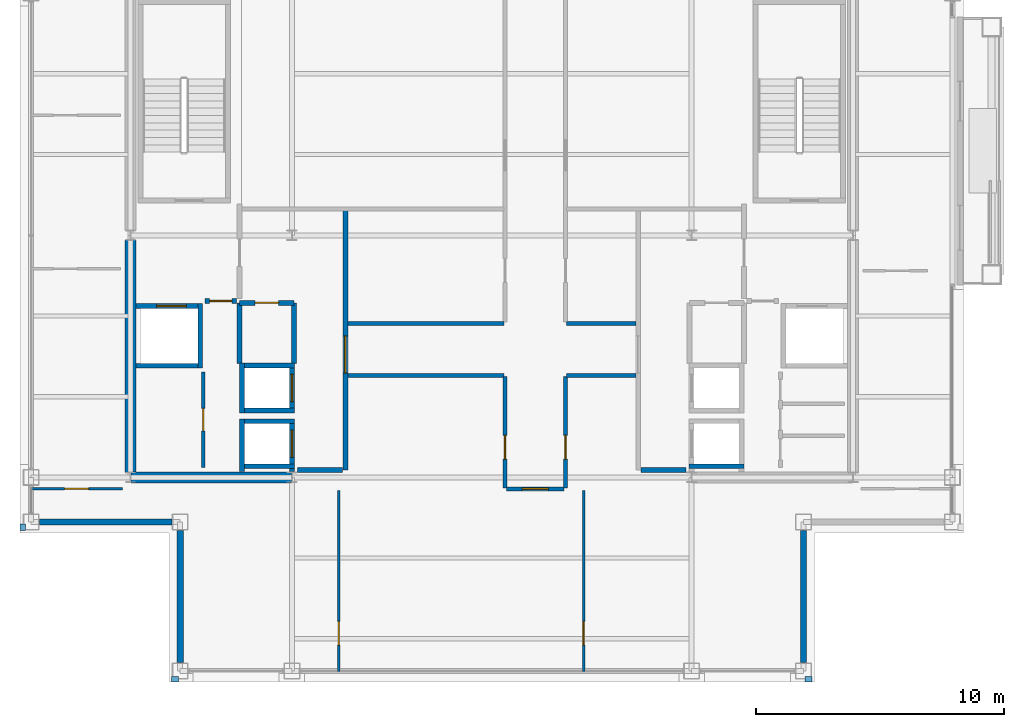
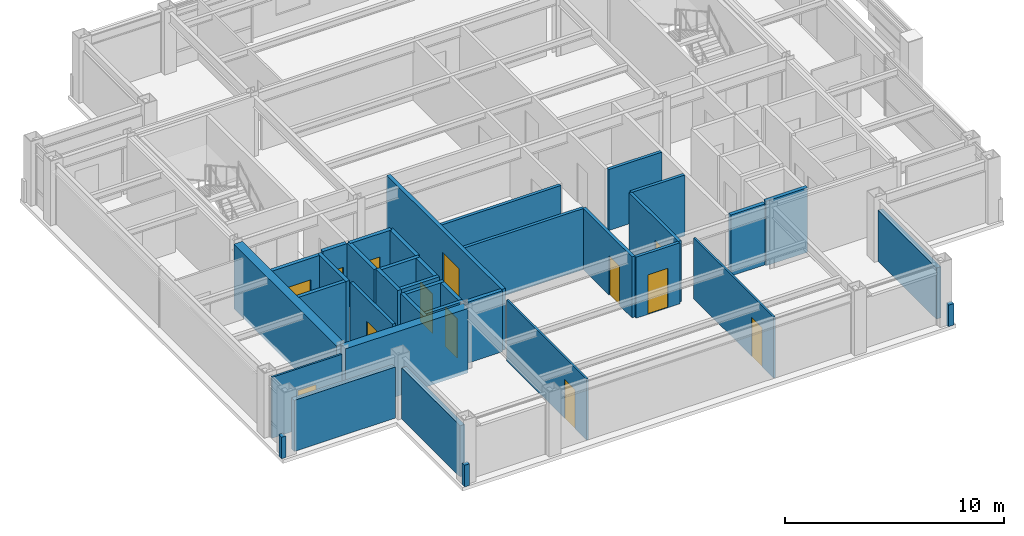
# One storey, part 19 of 24: 38 walls, 13 doors, 13 openings.
"""IFC4 building model written with IfcOpenShell, lengths in metres."""

from ifc_helpers import new_model, si_unit, direction, frame, frame_2d, origin, place, context, subcontext, project, spatial, rectangle, extrude, material, layer, layer_set, type_object, element, fill, save


model = new_model("IFC4")

# Units and contexts
model_context = context("Model", 3, precision=1e-05, world=origin(), true_north=direction((0.0, 1.0)))
body_context = subcontext(model_context, "Body", "Model", "MODEL_VIEW")
ifc_project = project(units=[si_unit("LENGTHUNIT", "METRE"), si_unit("AREAUNIT", "SQUARE_METRE"), si_unit("VOLUMEUNIT", "CUBIC_METRE"), si_unit("PLANEANGLEUNIT", "RADIAN"), si_unit("MASSUNIT", "GRAM", prefix="KILO")], contexts=[model_context])

# Site, building, storey
site_placement = place(None, origin())
site = spatial("IfcSite", under=ifc_project, at=site_placement, CompositionType="ELEMENT")
building_placement = place(site_placement, origin())
building = spatial("IfcBuilding", under=site, at=building_placement, Name="Brelmoor Portico Tower", CompositionType="ELEMENT")
storey_placement = place(building_placement, frame((0.0, 0.0, 240.0)))
storey = spatial("IfcBuildingStorey", under=building, at=storey_placement, Name="L63", CompositionType="ELEMENT", Elevation=240.0)

# Walls
ifc_material_1 = material(Name="Concrete C50", Category="concrete")
ifc_layer_1 = layer(ifc_material_1, 0.449951171875)
ifc_layer_set_1 = layer_set([ifc_layer_1], Name="Concrete C50")
wall_type_1 = type_object("IfcWallType", Name="WL-CORE-450", PredefinedType="SHEAR", material=ifc_layer_set_1)
wall_1_placement = place(storey_placement, frame((-14.530029296875, -9.75, -0.199951171875), z_axis=(0.0, 0.0, 1.0), x_axis=(1.0, 0.0, 0.0)))
element("IfcWall", 1, at=wall_1_placement, inside=storey, type_object=wall_type_1, Name="L63 WC South Shear Wall", PredefinedType="SHEAR", context=body_context, shape_type="SweptSolid", body=[
    extrude(rectangle(XDim=6.4599609375, YDim=0.449951171875, at=frame_2d((3.22998046875, 0.0))), origin(), (0.0, 0.0, 1.0), 3.599853515625),
])
wall_2_placement = place(storey_placement, frame((-14.550048828125, -9.550048828125, -0.199951171875), z_axis=(0.0, 0.0, 1.0), x_axis=(0.0, 1.0, 0.0)))
element("IfcWall", 2, at=wall_2_placement, inside=storey, type_object=wall_type_1, Name="L63 WC Outer South Shear Wall", PredefinedType="SHEAR", context=body_context, shape_type="SweptSolid", body=[
    extrude(rectangle(XDim=9.35009765625, YDim=0.449951171875, at=frame_2d((4.675048828125, 0.0))), origin(), (0.0, 0.0, 1.0), 3.599853515625),
])
ifc_material_2 = material(Name="Precast Concrete C40 Insulated Facade Wall", Category="concrete")
ifc_layer_2 = layer(ifc_material_2, 0.25)
ifc_layer_set_2 = layer_set([ifc_layer_2], Name="Precast Concrete C40 Insulated Facade Wall")
wall_type_2 = type_object("IfcWallType", Name="WL-EXT-250", PredefinedType="STANDARD", material=ifc_layer_set_2)
for number, where, z_axis, x_axis, name in (
    (3, (-18.215087890625, -11.550048828125, 0.0), (0.0, 0.0, 1.0), (1.0, 0.0, 0.0), "L63 Corner Notch Facade Wall NSWH1"),
    (4, (-12.550048828125, -17.215087890625, 0.0), (0.0, 0.0, 1.0), (0.0, 1.0, 0.0), "L63 Corner Notch Facade Wall NSWV1"),
    (5, (12.550048828125, -17.215087890625, 0.0), (0.0, 0.0, 1.0), (0.0, 1.0, 0.0), "L63 Corner Notch Facade Wall NSEV1"),
):
    element("IfcWall", number, at=place(storey_placement, frame(where, z_axis=z_axis, x_axis=x_axis)), inside=storey, type_object=wall_type_2, Name=name, PredefinedType="STANDARD", context=body_context, shape_type="SweptSolid", body=[
        extrude(rectangle(XDim=5.330078125, YDim=0.25, at=frame_2d((2.6650390625, 0.0))), origin(), (0.0, 0.0, 1.0), 2.85009765625),
    ])
ifc_material_3 = material(Name="Concrete C40 Parapet Upstand", Category="concrete")
ifc_layer_3 = layer(ifc_material_3, 0.219970703125)
ifc_layer_set_3 = layer_set([ifc_layer_3], Name="Concrete C40 Parapet Upstand")
wall_type_3 = type_object("IfcWallType", Name="WL-PARAPET-220", PredefinedType="PARAPET", material=ifc_layer_set_3)
for number, where, z_axis, x_axis, name in (
    (6, (-12.889892578125, -17.889892578125, 0.0), (0.0, 0.0, 1.0), (1.0, 0.0, 0.0), "L63 Chamfer Vertex Parapet Pier SW1"),
    (7, (-18.889892578125, -11.889892578125, 0.0), (0.0, 0.0, 1.0), (0.0, 1.0, 0.0), "L63 Chamfer Vertex Parapet Pier SW2"),
    (8, (12.6201171875, -17.889892578125, 0.0), (0.0, 0.0, 1.0), (1.0, 0.0, 0.0), "L63 Chamfer Vertex Parapet Pier SE1"),
):
    element("IfcWall", number, at=place(storey_placement, frame(where, z_axis=z_axis, x_axis=x_axis)), inside=storey, type_object=wall_type_3, Name=name, PredefinedType="PARAPET", context=body_context, shape_type="SweptSolid", body=[
        extrude(rectangle(XDim=0.269775390625, YDim=0.219970703125, at=frame_2d((0.134765625, 0.0))), origin(), (0.0, 0.0, 1.0), 1.199951171875),
    ])

# Wall, opening, door
ifc_material_4 = material(Name="Demountable Glazed Office Partition", Category="aluminium")
ifc_layer_4 = layer(ifc_material_4, 0.10009765625)
ifc_layer_set_4 = layer_set([ifc_layer_4], Name="Demountable Glazed Office Partition")
wall_type_4 = type_object("IfcWallType", Name="WL-PART-100", PredefinedType="PARTITIONING", material=ifc_layer_set_4)
wall_3_placement = place(storey_placement, frame((-6.161376953125, -17.56005859375, 0.0), z_axis=(0.0, 0.0, 1.0), x_axis=(0.0, 1.0, 0.0)))
wall_3 = element("IfcWall", 9, at=wall_3_placement, inside=storey, type_object=wall_type_4, Name="L63 South Suite Partition 1", PredefinedType="PARTITIONING", context=body_context, shape_type="SweptSolid", body=[
    extrude(rectangle(XDim=7.2900390625, YDim=0.10009765625, at=frame_2d((3.64501953125, 0.0))), origin(), (0.0, 0.0, 1.0), 3.39990234375),
])
opening_1_placement = place(wall_3_placement, frame((1.050048828125, 0.0, 0.0)))
opening_1 = element("IfcOpeningElement", 10, at=opening_1_placement, cuts=wall_3, Name="Opening D-IN2", PredefinedType="OPENING", context=body_context, shape_type="SweptSolid", body=[
    extrude(rectangle(XDim=0.9599609375, YDim=2.179931640625, at=frame_2d((0.47998046875, 1.08984375))), frame((0.0, 0.06005859375, 0.0), z_axis=(0.0, -1.0, 0.0), x_axis=(1.0, 0.0, 0.0)), (0.0, 0.0, 1.0), 0.1201171875),
])
ifc_material_5 = material(Name="Lacquered Timber Suite Door", Category="wood")
door_type_1 = type_object("IfcDoorType", Name="DR-INT-950", OperationType="NOTDEFINED", PredefinedType="DOOR", material=ifc_material_5)
door_1_placement = place(opening_1_placement, origin())
door_1 = element("IfcDoor", 11, at=door_1_placement, inside=storey, type_object=door_type_1, Name="D-2614 L63 South Suite Connecting Door 1", OperationType="SINGLE_SWING_RIGHT", OverallHeight=2.179931640625, OverallWidth=0.9599609375, PredefinedType="DOOR", context=body_context, shape_type="SweptSolid", body=[
    extrude(rectangle(XDim=0.9599609375, YDim=2.179931640625, at=frame_2d((0.47998046875, 1.08984375))), frame((0.0, 0.02490234375, 0.0), z_axis=(0.0, -1.0, 0.0), x_axis=(1.0, 0.0, 0.0)), (0.0, 0.0, 1.0), 0.050048828125),
])
fill(opening_1, door_1)

wall_4_placement = place(storey_placement, frame((3.697509765625, -17.56005859375, 0.0), z_axis=(0.0, 0.0, 1.0), x_axis=(0.0, 1.0, 0.0)))
wall_4 = element("IfcWall", 12, at=wall_4_placement, inside=storey, type_object=wall_type_4, Name="L63 South Suite Partition 2", PredefinedType="PARTITIONING", context=body_context, shape_type="SweptSolid", body=[
    extrude(rectangle(XDim=7.2900390625, YDim=0.10009765625, at=frame_2d((3.64501953125, 0.0))), origin(), (0.0, 0.0, 1.0), 3.39990234375),
])
opening_2_placement = place(wall_4_placement, frame((1.050048828125, 0.0, 0.0)))
opening_2 = element("IfcOpeningElement", 13, at=opening_2_placement, cuts=wall_4, Name="Opening D-IN2", PredefinedType="OPENING", context=body_context, shape_type="SweptSolid", body=[
    extrude(rectangle(XDim=0.9599609375, YDim=2.179931640625, at=frame_2d((0.47998046875, 1.08984375))), frame((0.0, 0.06005859375, 0.0), z_axis=(0.0, -1.0, 0.0), x_axis=(1.0, 0.0, 0.0)), (0.0, 0.0, 1.0), 0.1201171875),
])
door_2_placement = place(opening_2_placement, origin())
door_2 = element("IfcDoor", 14, at=door_2_placement, inside=storey, type_object=door_type_1, Name="D-2615 L63 South Suite Connecting Door 2", OperationType="SINGLE_SWING_LEFT", OverallHeight=2.179931640625, OverallWidth=0.9599609375, PredefinedType="DOOR", context=body_context, shape_type="SweptSolid", body=[
    extrude(rectangle(XDim=0.9599609375, YDim=2.179931640625, at=frame_2d((0.47998046875, 1.08984375))), frame((0.0, 0.02490234375, 0.0), z_axis=(0.0, -1.0, 0.0), x_axis=(1.0, 0.0, 0.0)), (0.0, 0.0, 1.0), 0.050048828125),
])
fill(opening_2, door_2)

wall_5_placement = place(storey_placement, frame((-18.56005859375, -10.2099609375, 0.0), z_axis=(0.0, 0.0, 1.0), x_axis=(1.0, 0.0, 0.0)))
wall_5 = element("IfcWall", 15, at=wall_5_placement, inside=storey, type_object=wall_type_4, Name="L63 South Wing Closure WL", PredefinedType="PARTITIONING", context=body_context, shape_type="SweptSolid", body=[
    extrude(rectangle(XDim=3.68017578125, YDim=0.10009765625, at=frame_2d((1.840087890625, 0.0))), origin(), (0.0, 0.0, 1.0), 3.39990234375),
])
opening_3_placement = place(wall_5_placement, frame((1.360107421875, 0.0, 0.0)))
opening_3 = element("IfcOpeningElement", 16, at=opening_3_placement, cuts=wall_5, Name="Opening D-IN2", PredefinedType="OPENING", context=body_context, shape_type="SweptSolid", body=[
    extrude(rectangle(XDim=0.9599609375, YDim=2.179931640625, at=frame_2d((0.47998046875, 1.08984375))), frame((0.0, 0.06005859375, 0.0), z_axis=(0.0, -1.0, 0.0), x_axis=(1.0, 0.0, 0.0)), (0.0, 0.0, 1.0), 0.1201171875),
])
door_3_placement = place(opening_3_placement, origin())
door_3 = element("IfcDoor", 17, at=door_3_placement, inside=storey, type_object=door_type_1, Name="D-2619 L63 WL Wing South Suite Door", OperationType="SINGLE_SWING_LEFT", OverallHeight=2.179931640625, OverallWidth=0.9599609375, PredefinedType="DOOR", context=body_context, shape_type="SweptSolid", body=[
    extrude(rectangle(XDim=0.9599609375, YDim=2.179931640625, at=frame_2d((0.47998046875, 1.08984375))), frame((0.0, 0.02490234375, 0.0), z_axis=(0.0, -1.0, 0.0), x_axis=(1.0, 0.0, 0.0)), (0.0, 0.0, 1.0), 0.050048828125),
])
fill(opening_3, door_3)

ifc_material_6 = material(Name="Twin-Frame Acoustic Partition", Category="gypsum")
ifc_layer_5 = layer(ifc_material_6, 0.159912109375)
ifc_layer_set_5 = layer_set([ifc_layer_5], Name="Twin-Frame Acoustic Partition")
wall_type_5 = type_object("IfcWallType", Name="WL-PART-160", PredefinedType="PARTITIONING", material=ifc_layer_set_5)
wall_6_placement = place(storey_placement, frame((-11.6201171875, -9.35009765625, 0.0), z_axis=(0.0, 0.0, 1.0), x_axis=(0.0, 1.0, 0.0)))
wall_6 = element("IfcWall", 18, at=wall_6_placement, inside=storey, type_object=wall_type_5, Name="L63 W Core Service Front Wall", PredefinedType="PARTITIONING", context=body_context, shape_type="SweptSolid", body=[
    extrude(rectangle(XDim=3.85009765625, YDim=0.159912109375, at=frame_2d((1.925048828125, 0.0))), origin(), (0.0, 0.0, 1.0), 3.39990234375),
])
opening_4_placement = place(wall_6_placement, frame((1.47509765625, 0.0, 0.0)))
opening_4 = element("IfcOpeningElement", 19, at=opening_4_placement, cuts=wall_6, Name="Opening D-IN1", PredefinedType="OPENING", context=body_context, shape_type="SweptSolid", body=[
    extrude(rectangle(XDim=0.89990234375, YDim=2.14990234375, at=frame_2d((0.449951171875, 1.074951171875))), frame((0.0, 0.08984375, 0.0), z_axis=(0.0, -1.0, 0.0), x_axis=(1.0, 0.0, 0.0)), (0.0, 0.0, 1.0), 0.179931640625),
])
door_type_2 = type_object("IfcDoorType", Name="DR-INT-900", OperationType="NOTDEFINED", PredefinedType="DOOR", material=ifc_material_5)
door_4_placement = place(opening_4_placement, origin())
door_4 = element("IfcDoor", 20, at=door_4_placement, inside=storey, type_object=door_type_2, Name="D-2602 L63 W Accessible WC Door", OperationType="SINGLE_SWING_LEFT", OverallHeight=2.14990234375, OverallWidth=0.89990234375, PredefinedType="DOOR", context=body_context, shape_type="SweptSolid", body=[
    extrude(rectangle(XDim=0.89990234375, YDim=2.14990234375, at=frame_2d((0.449951171875, 1.074951171875))), frame((0.0, 0.02490234375, 0.0), z_axis=(0.0, -1.0, 0.0), x_axis=(1.0, 0.0, 0.0)), (0.0, 0.0, 1.0), 0.050048828125),
])
fill(opening_4, door_4)

# Walls
wall_7_placement = place(storey_placement, frame((-5.800048828125, -3.550048828125, 0.0), z_axis=(0.0, 0.0, 1.0), x_axis=(1.0, 0.0, 0.0)))
element("IfcWall", 21, at=wall_7_placement, inside=storey, type_object=wall_type_5, Name="L63 West Pantry South Wall", PredefinedType="PARTITIONING", context=body_context, shape_type="SweptSolid", body=[
    extrude(rectangle(XDim=6.2900390625, YDim=0.159912109375, at=frame_2d((3.14501953125, 0.0))), origin(), (0.0, 0.0, 1.0), 3.39990234375),
])
wall_8_placement = place(storey_placement, frame((3.010009765625, -3.550048828125, 0.0), z_axis=(0.0, 0.0, 1.0), x_axis=(1.0, 0.0, 0.0)))
element("IfcWall", 22, at=wall_8_placement, inside=storey, type_object=wall_type_5, Name="L63 East Office South Wall", PredefinedType="PARTITIONING", context=body_context, shape_type="SweptSolid", body=[
    extrude(rectangle(XDim=2.7900390625, YDim=0.159912109375, at=frame_2d((1.39501953125, 0.0))), origin(), (0.0, 0.0, 1.0), 3.39990234375),
])

# Wall, opening, door
wall_9_placement = place(storey_placement, frame((0.530029296875, -10.169921875, 0.0), z_axis=(0.0, 0.0, 1.0), x_axis=(0.0, 1.0, 0.0)))
wall_9 = element("IfcWall", 23, at=wall_9_placement, inside=storey, type_object=wall_type_5, Name="L63 South Cross West Wall", PredefinedType="PARTITIONING", context=body_context, shape_type="SweptSolid", body=[
    extrude(rectangle(XDim=4.489990234375, YDim=0.159912109375, at=frame_2d((2.2451171875, 0.0))), origin(), (0.0, 0.0, 1.0), 3.39990234375),
])
opening_5_placement = place(wall_9_placement, frame((1.14990234375, 0.0, 0.0)))
opening_5 = element("IfcOpeningElement", 24, at=opening_5_placement, cuts=wall_9, Name="Opening D-IN2", PredefinedType="OPENING", context=body_context, shape_type="SweptSolid", body=[
    extrude(rectangle(XDim=0.9599609375, YDim=2.179931640625, at=frame_2d((0.47998046875, 1.08984375))), frame((0.0, 0.08984375, 0.0), z_axis=(0.0, -1.0, 0.0), x_axis=(1.0, 0.0, 0.0)), (0.0, 0.0, 1.0), 0.179931640625),
])
door_5_placement = place(opening_5_placement, origin())
door_5 = element("IfcDoor", 25, at=door_5_placement, inside=storey, type_object=door_type_1, Name="D-2594 L63 South-West Archive Room Door", OperationType="SINGLE_SWING_RIGHT", OverallHeight=2.179931640625, OverallWidth=0.9599609375, PredefinedType="DOOR", context=body_context, shape_type="SweptSolid", body=[
    extrude(rectangle(XDim=0.9599609375, YDim=2.179931640625, at=frame_2d((0.47998046875, 1.08984375))), frame((0.0, 0.02490234375, 0.0), z_axis=(0.0, -1.0, 0.0), x_axis=(1.0, 0.0, 0.0)), (0.0, 0.0, 1.0), 0.050048828125),
])
fill(opening_5, door_5)

wall_10_placement = place(storey_placement, frame((2.969970703125, -10.169921875, 0.0), z_axis=(0.0, 0.0, 1.0), x_axis=(0.0, 1.0, 0.0)))
wall_10 = element("IfcWall", 26, at=wall_10_placement, inside=storey, type_object=wall_type_5, Name="L63 South Cross East Wall", PredefinedType="PARTITIONING", context=body_context, shape_type="SweptSolid", body=[
    extrude(rectangle(XDim=4.489990234375, YDim=0.159912109375, at=frame_2d((2.2451171875, 0.0))), origin(), (0.0, 0.0, 1.0), 3.39990234375),
])
opening_6_placement = place(wall_10_placement, frame((1.14990234375, 0.0, 0.0)))
opening_6 = element("IfcOpeningElement", 27, at=opening_6_placement, cuts=wall_10, Name="Opening D-IN2", PredefinedType="OPENING", context=body_context, shape_type="SweptSolid", body=[
    extrude(rectangle(XDim=0.9599609375, YDim=2.179931640625, at=frame_2d((0.47998046875, 1.08984375))), frame((0.0, 0.08984375, 0.0), z_axis=(0.0, -1.0, 0.0), x_axis=(1.0, 0.0, 0.0)), (0.0, 0.0, 1.0), 0.179931640625),
])
door_6_placement = place(opening_6_placement, origin())
door_6 = element("IfcDoor", 28, at=door_6_placement, inside=storey, type_object=door_type_1, Name="D-2593 L63 South-East Partner Office Door", OperationType="SINGLE_SWING_LEFT", OverallHeight=2.179931640625, OverallWidth=0.9599609375, PredefinedType="DOOR", context=body_context, shape_type="SweptSolid", body=[
    extrude(rectangle(XDim=0.9599609375, YDim=2.179931640625, at=frame_2d((0.47998046875, 1.08984375))), frame((0.0, 0.02490234375, 0.0), z_axis=(0.0, -1.0, 0.0), x_axis=(1.0, 0.0, 0.0)), (0.0, 0.0, 1.0), 0.050048828125),
])
fill(opening_6, door_6)

# Walls
wall_11_placement = place(storey_placement, frame((-5.800048828125, -5.64990234375, 0.0), z_axis=(0.0, 0.0, 1.0), x_axis=(1.0, 0.0, 0.0)))
element("IfcWall", 29, at=wall_11_placement, inside=storey, type_object=wall_type_5, Name="L63 South-West Chamber Top Wall", PredefinedType="PARTITIONING", context=body_context, shape_type="SweptSolid", body=[
    extrude(rectangle(XDim=6.2900390625, YDim=0.159912109375, at=frame_2d((3.14501953125, 0.0))), origin(), (0.0, 0.0, 1.0), 3.39990234375),
])
wall_12_placement = place(storey_placement, frame((3.010009765625, -5.64990234375, 0.0), z_axis=(0.0, 0.0, 1.0), x_axis=(1.0, 0.0, 0.0)))
element("IfcWall", 30, at=wall_12_placement, inside=storey, type_object=wall_type_5, Name="L63 South-East Chamber Top Wall", PredefinedType="PARTITIONING", context=body_context, shape_type="SweptSolid", body=[
    extrude(rectangle(XDim=2.7900390625, YDim=0.159912109375, at=frame_2d((1.39501953125, 0.0))), origin(), (0.0, 0.0, 1.0), 3.39990234375),
])

# Wall, opening, door
wall_13_placement = place(storey_placement, frame((0.60009765625, -10.2099609375, 0.0), z_axis=(0.0, 0.0, 1.0), x_axis=(1.0, 0.0, 0.0)))
wall_13 = element("IfcWall", 31, at=wall_13_placement, inside=storey, type_object=wall_type_5, Name="L63 South Corridor Partition", PredefinedType="PARTITIONING", context=body_context, shape_type="SweptSolid", body=[
    extrude(rectangle(XDim=2.2998046875, YDim=0.159912109375, at=frame_2d((1.14990234375, 0.0))), origin(), (0.0, 0.0, 1.0), 3.39990234375),
])
opening_7_placement = place(wall_13_placement, frame((0.6201171875, 0.0, 0.0)))
opening_7 = element("IfcOpeningElement", 32, at=opening_7_placement, cuts=wall_13, Name="Opening D-OF2", PredefinedType="OPENING", context=body_context, shape_type="SweptSolid", body=[
    extrude(rectangle(XDim=1.06005859375, YDim=2.199951171875, at=frame_2d((0.530029296875, 1.10009765625))), frame((0.0, 0.08984375, 0.0), z_axis=(0.0, -1.0, 0.0), x_axis=(1.0, 0.0, 0.0)), (0.0, 0.0, 1.0), 0.179931640625),
])
ifc_material_7 = material(Name="Hardwood Acoustic Veneer Door", Category="wood")
door_type_3 = type_object("IfcDoorType", Name="DR-OFFICE-1050", OperationType="NOTDEFINED", PredefinedType="DOOR", material=ifc_material_7)
door_7_placement = place(opening_7_placement, origin())
door_7 = element("IfcDoor", 33, at=door_7_placement, inside=storey, type_object=door_type_3, Name="D-2613 L63 South Design Workshop 2 Door", OperationType="SINGLE_SWING_RIGHT", OverallHeight=2.199951171875, OverallWidth=1.06005859375, PredefinedType="DOOR", context=body_context, shape_type="SweptSolid", body=[
    extrude(rectangle(XDim=1.06005859375, YDim=2.199951171875, at=frame_2d((0.530029296875, 1.10009765625))), frame((0.0, 0.02490234375, 0.0), z_axis=(0.0, -1.0, 0.0), x_axis=(1.0, 0.0, 0.0)), (0.0, 0.0, 1.0), 0.050048828125),
])
fill(opening_7, door_7)

ifc_material_8 = material(Name="Double-Stud Gypsum Fire Partition", Category="gypsum")
ifc_layer_6 = layer(ifc_material_8, 0.199951171875)
ifc_layer_set_6 = layer_set([ifc_layer_6], Name="Double-Stud Gypsum Fire Partition")
wall_type_6 = type_object("IfcWallType", Name="WL-PART-200", PredefinedType="PARTITIONING", material=ifc_layer_set_6)
wall_14_placement = place(storey_placement, frame((-5.89990234375, -9.449951171875, 0.0), z_axis=(0.0, 0.0, 1.0), x_axis=(0.0, 1.0, 0.0)))
wall_14 = element("IfcWall", 34, at=wall_14_placement, inside=storey, type_object=wall_type_6, Name="L63 W Core Lobby Compartment Wall", PredefinedType="PARTITIONING", context=body_context, shape_type="SweptSolid", body=[
    extrude(rectangle(XDim=10.5, YDim=0.199951171875, at=frame_2d((5.25, 0.0))), origin(), (0.0, 0.0, 1.0), 3.39990234375),
])
opening_8_placement = place(wall_14_placement, frame((3.89990234375, 0.0, 0.0)))
opening_8 = element("IfcOpeningElement", 35, at=opening_8_placement, cuts=wall_14, Name="Opening D-LB1", PredefinedType="OPENING", context=body_context, shape_type="SweptSolid", body=[
    extrude(rectangle(XDim=1.5, YDim=2.199951171875, at=frame_2d((0.75, 1.10009765625))), frame((0.0, 0.10986328125, 0.0), z_axis=(0.0, -1.0, 0.0), x_axis=(1.0, 0.0, 0.0)), (0.0, 0.0, 1.0), 0.219970703125),
])
ifc_material_9 = material(Name="Double-Leaf Glazed Steel Fire Door", Category="steel")
door_type_4 = type_object("IfcDoorType", Name="DR-LOBBY-1500", OperationType="NOTDEFINED", PredefinedType="DOOR", material=ifc_material_9)
door_8_placement = place(opening_8_placement, origin())
door_8 = element("IfcDoor", 36, at=door_8_placement, inside=storey, type_object=door_type_4, Name="D-2608 L63 W Lift Lobby Main Door", OperationType="DOUBLE_DOOR_SINGLE_SWING", OverallHeight=2.199951171875, OverallWidth=1.5, PredefinedType="DOOR", context=body_context, shape_type="SweptSolid", body=[
    extrude(rectangle(XDim=1.5, YDim=2.199951171875, at=frame_2d((0.75, 1.10009765625))), frame((0.0, 0.02490234375, 0.0), z_axis=(0.0, -1.0, 0.0), x_axis=(1.0, 0.0, 0.0)), (0.0, 0.0, 1.0), 0.050048828125),
])
fill(opening_8, door_8)

# Wall
wall_15_placement = place(storey_placement, frame((-6.02001953125, -9.449951171875, 0.0), z_axis=(0.0, 0.0, 1.0), x_axis=(-1.0, 0.0, 0.0)))
element("IfcWall", 37, at=wall_15_placement, inside=storey, type_object=wall_type_6, Name="L63 W Lift Lobby South End Wall", PredefinedType="PARTITIONING", context=body_context, shape_type="SweptSolid", body=[
    extrude(rectangle(XDim=1.800048828125, YDim=0.199951171875, at=frame_2d((0.89990234375, 0.0))), origin(), (0.0, 0.0, 1.0), 3.39990234375),
])

# Wall, opening, door
wall_16_placement = place(storey_placement, frame((-10.280029296875, -2.64990234375, 0.0), z_axis=(0.0, 0.0, 1.0), x_axis=(-1.0, 0.0, 0.0)))
wall_16 = element("IfcWall", 38, at=wall_16_placement, inside=storey, type_object=wall_type_6, Name="L63 W Firefighting Lobby South Wall", PredefinedType="PARTITIONING", context=body_context, shape_type="SweptSolid", body=[
    extrude(rectangle(XDim=1.27001953125, YDim=0.199951171875, at=frame_2d((0.635009765625, 0.0))), origin(), (0.0, 0.0, 1.0), 3.39990234375),
])
opening_9_placement = place(wall_16_placement, frame((0.18505859375, 0.0, 0.0)))
opening_9 = element("IfcOpeningElement", 39, at=opening_9_placement, cuts=wall_16, Name="Opening D-IN1", PredefinedType="OPENING", context=body_context, shape_type="SweptSolid", body=[
    extrude(rectangle(XDim=0.89990234375, YDim=2.14990234375, at=frame_2d((0.449951171875, 1.074951171875))), frame((0.0, 0.10986328125, 0.0), z_axis=(0.0, -1.0, 0.0), x_axis=(1.0, 0.0, 0.0)), (0.0, 0.0, 1.0), 0.219970703125),
])
door_9_placement = place(opening_9_placement, origin())
door_9 = element("IfcDoor", 40, at=door_9_placement, inside=storey, type_object=door_type_2, Name="D-2601 L63 W Core Service Vestibule Door", OperationType="SINGLE_SWING_LEFT", OverallHeight=2.14990234375, OverallWidth=0.89990234375, PredefinedType="DOOR", context=body_context, shape_type="SweptSolid", body=[
    extrude(rectangle(XDim=0.89990234375, YDim=2.14990234375, at=frame_2d((0.449951171875, 1.074951171875))), frame((0.0, 0.02490234375, 0.0), z_axis=(0.0, -1.0, 0.0), x_axis=(1.0, 0.0, 0.0)), (0.0, 0.0, 1.0), 0.050048828125),
])
fill(opening_9, door_9)

wall_17_placement = place(storey_placement, frame((-7.9599609375, -2.719970703125, 0.0), z_axis=(0.0, 0.0, 1.0), x_axis=(-1.0, 0.0, 0.0)))
wall_17 = element("IfcWall", 41, at=wall_17_placement, inside=storey, type_object=wall_type_6, Name="L63 W Electrical Switchgear Closet Wall", PredefinedType="PARTITIONING", context=body_context, shape_type="SweptSolid", body=[
    extrude(rectangle(XDim=2.199951171875, YDim=0.199951171875, at=frame_2d((1.10009765625, 0.0))), origin(), (0.0, 0.0, 1.0), 3.39990234375),
])
opening_10_placement = place(wall_17_placement, frame((0.6201171875, 0.0, 0.0)))
opening_10 = element("IfcOpeningElement", 42, at=opening_10_placement, cuts=wall_17, Name="Opening D-FR4", PredefinedType="OPENING", context=body_context, shape_type="SweptSolid", body=[
    extrude(rectangle(XDim=0.949951171875, YDim=2.10009765625, at=frame_2d((0.47509765625, 1.050048828125))), frame((0.0, 0.10986328125, 0.0), z_axis=(0.0, -1.0, 0.0), x_axis=(1.0, 0.0, 0.0)), (0.0, 0.0, 1.0), 0.219970703125),
])
ifc_material_10 = material(Name="Painted Galvanised Steel Riser Door", Category="steel")
door_type_5 = type_object("IfcDoorType", Name="DR-FIRE-950", OperationType="NOTDEFINED", PredefinedType="DOOR", material=ifc_material_10)
door_10_placement = place(opening_10_placement, origin())
door_10 = element("IfcDoor", 43, at=door_10_placement, inside=storey, type_object=door_type_5, Name="D-2604 L63 W Electrical Switchgear Closet Door", OperationType="SINGLE_SWING_RIGHT", OverallHeight=2.10009765625, OverallWidth=0.949951171875, PredefinedType="DOOR", context=body_context, shape_type="SweptSolid", body=[
    extrude(rectangle(XDim=0.949951171875, YDim=2.10009765625, at=frame_2d((0.47509765625, 1.050048828125))), frame((0.0, 0.02490234375, 0.0), z_axis=(0.0, -1.0, 0.0), x_axis=(1.0, 0.0, 0.0)), (0.0, 0.0, 1.0), 0.050048828125),
])
fill(opening_10, door_10)

# Walls
for number, where, z_axis, x_axis, name in (
    (44, (-7.9599609375, -5.159912109375, 0.0), (0.0, 0.0, 1.0), (0.0, 1.0, 0.0), "L63 W Electrical Switchgear Closet Inner Wall"),
    (45, (-10.159912109375, -5.159912109375, 0.0), (0.0, 0.0, 1.0), (0.0, 1.0, 0.0), "L63 W Electrical Switchgear Closet Outer Wall"),
):
    element("IfcWall", number, at=place(storey_placement, frame(where, z_axis=z_axis, x_axis=x_axis)), inside=storey, type_object=wall_type_6, Name=name, PredefinedType="PARTITIONING", context=body_context, shape_type="SweptSolid", body=[
        extrude(rectangle(XDim=2.43994140625, YDim=0.199951171875, at=frame_2d((1.219970703125, 0.0))), origin(), (0.0, 0.0, 1.0), 3.39990234375),
    ])
wall_18_placement = place(storey_placement, frame((6.02001953125, -9.449951171875, 0.0), z_axis=(0.0, 0.0, 1.0), x_axis=(1.0, 0.0, 0.0)))
element("IfcWall", 46, at=wall_18_placement, inside=storey, type_object=wall_type_6, Name="L63 E Lift Lobby South End Wall", PredefinedType="PARTITIONING", context=body_context, shape_type="SweptSolid", body=[
    extrude(rectangle(XDim=1.800048828125, YDim=0.199951171875, at=frame_2d((0.89990234375, 0.0))), origin(), (0.0, 0.0, 1.0), 3.39990234375),
])

# Wall, opening, door
ifc_material_11 = material(Name="Precast Concrete C40", Category="concrete")
ifc_layer_7 = layer(ifc_material_11, 0.18994140625)
ifc_layer_set_7 = layer_set([ifc_layer_7], Name="Precast Concrete C40")
wall_type_7 = type_object("IfcWallType", Name="WL-SHAFT-180", PredefinedType="SOLIDWALL", material=ifc_layer_set_7)
wall_19_placement = place(storey_placement, frame((-8.044921875, -9.52001953125, -0.199951171875), z_axis=(0.0, 0.0, 1.0), x_axis=(0.0, 1.0, 0.0)))
wall_19 = element("IfcWall", 47, at=wall_19_placement, inside=storey, type_object=wall_type_7, Name="L63 Lift PH1 Hoistway Front Wall", PredefinedType="SOLIDWALL", context=body_context, shape_type="SweptSolid", body=[
    extrude(rectangle(XDim=2.1201171875, YDim=0.18994140625, at=frame_2d((1.06005859375, 0.0))), origin(), (0.0, 0.0, 1.0), 3.599853515625),
])
opening_11_placement = place(wall_19_placement, frame((0.570068359375, 0.0, 0.199951171875)))
opening_11 = element("IfcOpeningElement", 48, at=opening_11_placement, cuts=wall_19, Name="Opening LD-01", PredefinedType="OPENING", context=body_context, shape_type="SweptSolid", body=[
    extrude(rectangle(XDim=1.10009765625, YDim=2.199951171875, at=frame_2d((0.550048828125, 1.10009765625))), frame((0.0, 0.10498046875, 0.0), z_axis=(0.0, -1.0, 0.0), x_axis=(1.0, 0.0, 0.0)), (0.0, 0.0, 1.0), 0.2099609375),
])
ifc_material_12 = material(Name="Brushed Stainless Steel Sliding Lift Door", Category="steel")
door_type_6 = type_object("IfcDoorType", Name="DR-LIFT-1100", OperationType="NOTDEFINED", PredefinedType="DOOR", material=ifc_material_12)
door_11_placement = place(opening_11_placement, origin())
door_11 = element("IfcDoor", 49, at=door_11_placement, inside=storey, type_object=door_type_6, Name="D-2627 L63 Lift PH1 Sliding Landing Door", OperationType="SLIDING_TO_LEFT", OverallHeight=2.199951171875, OverallWidth=1.10009765625, PredefinedType="DOOR", context=body_context, shape_type="SweptSolid", body=[
    extrude(rectangle(XDim=1.10009765625, YDim=2.199951171875, at=frame_2d((0.550048828125, 1.10009765625))), frame((0.0, 0.02490234375, 0.0), z_axis=(0.0, -1.0, 0.0), x_axis=(1.0, 0.0, 0.0)), (0.0, 0.0, 1.0), 0.050048828125),
])
fill(opening_11, door_11)

# Walls
wall_20_placement = place(storey_placement, frame((-10.054931640625, -9.52001953125, -0.199951171875), z_axis=(0.0, 0.0, 1.0), x_axis=(0.0, 1.0, 0.0)))
element("IfcWall", 50, at=wall_20_placement, inside=storey, type_object=wall_type_7, Name="L63 Lift PH1 Hoistway Back Wall", PredefinedType="SOLIDWALL", context=body_context, shape_type="SweptSolid", body=[
    extrude(rectangle(XDim=2.1201171875, YDim=0.18994140625, at=frame_2d((1.06005859375, 0.0))), origin(), (0.0, 0.0, 1.0), 3.599853515625),
])
for number, where, z_axis, x_axis, name in (
    (51, (-10.14990234375, -7.4951171875, -0.199951171875), (0.0, 0.0, 1.0), (1.0, 0.0, 0.0), "L63 Lift PH1 Hoistway North Wall"),
    (52, (-10.14990234375, -9.304931640625, -0.199951171875), (0.0, 0.0, 1.0), (1.0, 0.0, 0.0), "L63 Lift PH1 Hoistway South Wall"),
):
    element("IfcWall", number, at=place(storey_placement, frame(where, z_axis=z_axis, x_axis=x_axis)), inside=storey, type_object=wall_type_7, Name=name, PredefinedType="SOLIDWALL", context=body_context, shape_type="SweptSolid", body=[
        extrude(rectangle(XDim=2.199951171875, YDim=0.18994140625, at=frame_2d((1.10009765625, 0.0))), origin(), (0.0, 0.0, 1.0), 3.599853515625),
    ])

# Wall, opening, door
wall_21_placement = place(storey_placement, frame((-8.044921875, -7.14990234375, -0.199951171875), z_axis=(0.0, 0.0, 1.0), x_axis=(0.0, 1.0, 0.0)))
wall_21 = element("IfcWall", 53, at=wall_21_placement, inside=storey, type_object=wall_type_7, Name="L63 Lift PH2 Hoistway Front Wall", PredefinedType="SOLIDWALL", context=body_context, shape_type="SweptSolid", body=[
    extrude(rectangle(XDim=2.0, YDim=0.18994140625, at=frame_2d((1.0, 0.0))), origin(), (0.0, 0.0, 1.0), 3.599853515625),
])
opening_12_placement = place(wall_21_placement, frame((0.449951171875, 0.0, 0.199951171875)))
opening_12 = element("IfcOpeningElement", 54, at=opening_12_placement, cuts=wall_21, Name="Opening LD-01", PredefinedType="OPENING", context=body_context, shape_type="SweptSolid", body=[
    extrude(rectangle(XDim=1.10009765625, YDim=2.199951171875, at=frame_2d((0.550048828125, 1.10009765625))), frame((0.0, 0.10498046875, 0.0), z_axis=(0.0, -1.0, 0.0), x_axis=(1.0, 0.0, 0.0)), (0.0, 0.0, 1.0), 0.2099609375),
])
door_12_placement = place(opening_12_placement, origin())
door_12 = element("IfcDoor", 55, at=door_12_placement, inside=storey, type_object=door_type_6, Name="D-2628 L63 Lift PH2 Sliding Landing Door", OperationType="SLIDING_TO_LEFT", OverallHeight=2.199951171875, OverallWidth=1.10009765625, PredefinedType="DOOR", context=body_context, shape_type="SweptSolid", body=[
    extrude(rectangle(XDim=1.10009765625, YDim=2.199951171875, at=frame_2d((0.550048828125, 1.10009765625))), frame((0.0, 0.02490234375, 0.0), z_axis=(0.0, -1.0, 0.0), x_axis=(1.0, 0.0, 0.0)), (0.0, 0.0, 1.0), 0.050048828125),
])
fill(opening_12, door_12)

# Walls
wall_22_placement = place(storey_placement, frame((-10.054931640625, -7.14990234375, -0.199951171875), z_axis=(0.0, 0.0, 1.0), x_axis=(0.0, 1.0, 0.0)))
element("IfcWall", 56, at=wall_22_placement, inside=storey, type_object=wall_type_7, Name="L63 Lift PH2 Hoistway Back Wall", PredefinedType="SOLIDWALL", context=body_context, shape_type="SweptSolid", body=[
    extrude(rectangle(XDim=2.0, YDim=0.18994140625, at=frame_2d((1.0, 0.0))), origin(), (0.0, 0.0, 1.0), 3.599853515625),
])
for number, where, z_axis, x_axis, name in (
    (57, (-10.14990234375, -5.2451171875, -0.199951171875), (0.0, 0.0, 1.0), (1.0, 0.0, 0.0), "L63 Lift PH2 Hoistway North Wall"),
    (58, (-10.14990234375, -7.054931640625, -0.199951171875), (0.0, 0.0, 1.0), (1.0, 0.0, 0.0), "L63 Lift PH2 Hoistway South Wall"),
    (59, (7.949951171875, -9.304931640625, -0.199951171875), (0.0, 0.0, 1.0), (1.0, 0.0, 0.0), "L63 Lift PH3 Hoistway South Wall"),
):
    element("IfcWall", number, at=place(storey_placement, frame(where, z_axis=z_axis, x_axis=x_axis)), inside=storey, type_object=wall_type_7, Name=name, PredefinedType="SOLIDWALL", context=body_context, shape_type="SweptSolid", body=[
        extrude(rectangle(XDim=2.199951171875, YDim=0.18994140625, at=frame_2d((1.10009765625, 0.0))), origin(), (0.0, 0.0, 1.0), 3.599853515625),
    ])

# Wall, opening, door
wall_23_placement = place(storey_placement, frame((-14.330078125, -2.844970703125, -0.199951171875), z_axis=(0.0, 0.0, 1.0), x_axis=(1.0, 0.0, 0.0)))
wall_23 = element("IfcWall", 60, at=wall_23_placement, inside=storey, type_object=wall_type_7, Name="L63 Lift FF1 Hoistway Front Wall", PredefinedType="SOLIDWALL", context=body_context, shape_type="SweptSolid", body=[
    extrude(rectangle(XDim=2.68017578125, YDim=0.18994140625, at=frame_2d((1.340087890625, 0.0))), origin(), (0.0, 0.0, 1.0), 3.599853515625),
])
opening_13_placement = place(wall_23_placement, frame((0.830078125, 0.0, 0.199951171875)))
opening_13 = element("IfcOpeningElement", 61, at=opening_13_placement, cuts=wall_23, Name="Opening LD-02", PredefinedType="OPENING", context=body_context, shape_type="SweptSolid", body=[
    extrude(rectangle(XDim=1.199951171875, YDim=2.199951171875, at=frame_2d((0.60009765625, 1.10009765625))), frame((0.0, 0.10498046875, 0.0), z_axis=(0.0, -1.0, 0.0), x_axis=(1.0, 0.0, 0.0)), (0.0, 0.0, 1.0), 0.2099609375),
])
ifc_material_13 = material(Name="Brushed Stainless Steel Firefighting Lift Door", Category="steel")
door_type_7 = type_object("IfcDoorType", Name="DR-LIFT-1200", OperationType="NOTDEFINED", PredefinedType="DOOR", material=ifc_material_13)
door_13_placement = place(opening_13_placement, origin())
door_13 = element("IfcDoor", 62, at=door_13_placement, inside=storey, type_object=door_type_7, Name="D-2625 L63 Lift FF1 Sliding Landing Door", OperationType="SLIDING_TO_LEFT", OverallHeight=2.199951171875, OverallWidth=1.199951171875, PredefinedType="DOOR", context=body_context, shape_type="SweptSolid", body=[
    extrude(rectangle(XDim=1.199951171875, YDim=2.199951171875, at=frame_2d((0.60009765625, 1.10009765625))), frame((0.0, 0.02490234375, 0.0), z_axis=(0.0, -1.0, 0.0), x_axis=(1.0, 0.0, 0.0)), (0.0, 0.0, 1.0), 0.050048828125),
])
fill(opening_13, door_13)

# Walls
wall_24_placement = place(storey_placement, frame((-14.330078125, -5.2548828125, -0.199951171875), z_axis=(0.0, 0.0, 1.0), x_axis=(1.0, 0.0, 0.0)))
element("IfcWall", 63, at=wall_24_placement, inside=storey, type_object=wall_type_7, Name="L63 Firefighting Lift FF1 South Wall", PredefinedType="SOLIDWALL", context=body_context, shape_type="SweptSolid", body=[
    extrude(rectangle(XDim=2.68017578125, YDim=0.18994140625, at=frame_2d((1.340087890625, 0.0))), origin(), (0.0, 0.0, 1.0), 3.599853515625),
])
wall_25_placement = place(storey_placement, frame((-11.7451171875, -5.35009765625, -0.199951171875), z_axis=(0.0, 0.0, 1.0), x_axis=(0.0, 1.0, 0.0)))
element("IfcWall", 64, at=wall_25_placement, inside=storey, type_object=wall_type_7, Name="L63 Firefighting Lift FF1 Inner Wall", PredefinedType="SOLIDWALL", context=body_context, shape_type="SweptSolid", body=[
    extrude(rectangle(XDim=2.60009765625, YDim=0.18994140625, at=frame_2d((1.300048828125, 0.0))), origin(), (0.0, 0.0, 1.0), 3.599853515625),
])

save(model, "model.ifc")
